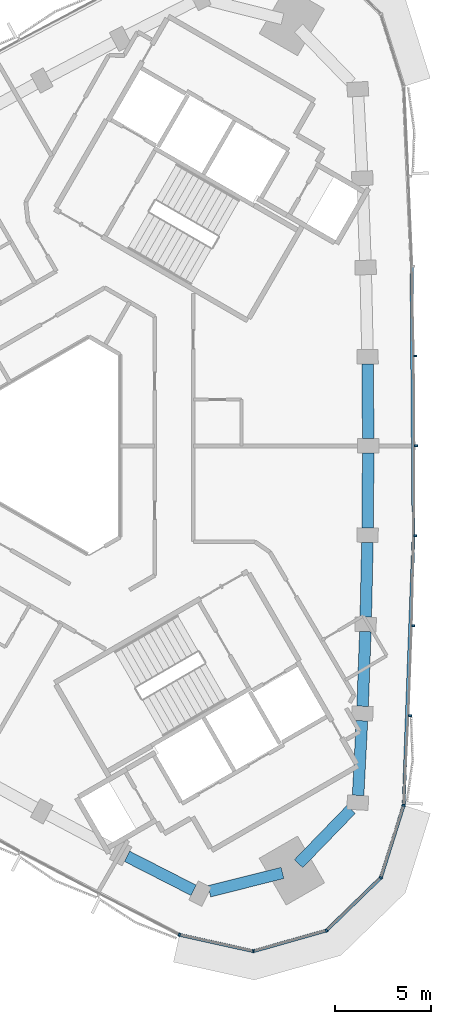
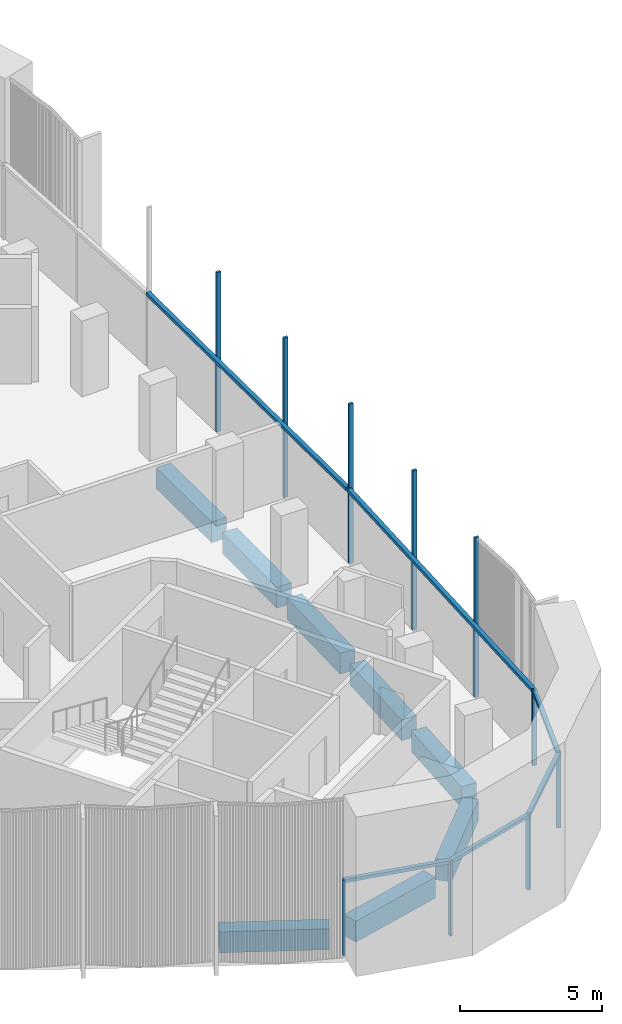
# One storey, part 4 of 16: 16 members, 8 beams, 2 elements without a shape of their own.
"""IFC4 building model written with IfcOpenShell, lengths in metres."""

from ifc_helpers import new_model, si_unit, direction, frame, origin, origin_2d, place, context, subcontext, project, spatial, rectangle, extrude, material, material_profile, profile_set, type_object, element, aggregate, save


model = new_model("IFC4")

# Units and contexts
model_context = context("Model", 3, precision=1e-05, world=origin(), true_north=direction((0.0, 1.0)))
body_context = subcontext(model_context, "Body", "Model", "MODEL_VIEW")
ifc_project = project(units=[si_unit("LENGTHUNIT", "METRE"), si_unit("AREAUNIT", "SQUARE_METRE"), si_unit("VOLUMEUNIT", "CUBIC_METRE"), si_unit("PLANEANGLEUNIT", "RADIAN"), si_unit("MASSUNIT", "GRAM", prefix="KILO")], contexts=[model_context])

# Site, building, storey
site_placement = place(None, origin())
site = spatial("IfcSite", under=ifc_project, at=site_placement, CompositionType="ELEMENT")
building_placement = place(site_placement, origin())
building = spatial("IfcBuilding", under=site, at=building_placement, Name="Tamra Quay Hotel Tower", CompositionType="ELEMENT")
storey_placement = place(building_placement, frame((0.0, 0.0, 232.199951171875)))
storey = spatial("IfcBuildingStorey", under=building, at=storey_placement, Name="L58", CompositionType="ELEMENT", Elevation=232.199951171875)

# Curtain wall, members
ifc_material_1 = material(Name="Aluminium 6063 anodised dark grey", Category="aluminium")
curtain_wall_type_1 = type_object("IfcCurtainWallType", Name="CW1 CURTAIN WALL", PredefinedType="NOTDEFINED", material=ifc_material_1)
curtain_wall_1_placement = place(storey_placement, origin())
curtain_wall_1 = element("IfcCurtainWall", 1, at=curtain_wall_1_placement, inside=storey, type_object=curtain_wall_type_1, Name="CW1 east face L58", PredefinedType="NOTDEFINED")
ifc_material_profile_1 = material_profile(ifc_material_1, rectangle(XDim=0.169921875, YDim=0.10009765625, at=origin_2d()), Name="MULLION 100X170")
ifc_profile_set_1 = profile_set([ifc_material_profile_1], Name="Aluminium 6063 anodised dark grey")
member_type_1 = type_object("IfcMemberType", Name="MULLION CW1 Z5", PredefinedType="MULLION", material=ifc_profile_set_1)
member_1_placement = place(storey_placement, frame((18.50732421875, -18.63037109375, 0.0), z_axis=(0.0, 0.0, 1.0), x_axis=(0.984105369622, -0.177585532857, 0.0)))
member_1 = element("IfcMember", 2, at=member_1_placement, type_object=member_type_1, Name="CW1 mullion L58.E.1", PredefinedType="MULLION", context=body_context, shape_type="SweptSolid", body=[
    extrude(rectangle(XDim=0.169921875, YDim=0.10009765625, at=origin_2d()), origin(), (0.0, 0.0, 1.0), 3.25),
])
member_2_placement = place(storey_placement, frame((18.831787109375, -13.980224609375, 0.0), z_axis=(0.0, 0.0, 1.0), x_axis=(0.999028242541, -0.044074602737, 0.0)))
member_2 = element("IfcMember", 3, at=member_2_placement, type_object=member_type_1, Name="CW1 mullion L58.E.2", PredefinedType="MULLION", context=body_context, shape_type="SweptSolid", body=[
    extrude(rectangle(XDim=0.169921875, YDim=0.10009765625, at=origin_2d()), origin(), (0.0, 0.0, 1.0), 6.85009765625),
])
member_3_placement = place(storey_placement, frame((19.0029296875, -9.3212890625, 0.0), z_axis=(0.0, 0.0, 1.0), x_axis=(0.999567604461, -0.029404151257, 0.0)))
member_3 = element("IfcMember", 4, at=member_3_placement, type_object=member_type_1, Name="CW1 mullion L58.E.3", PredefinedType="MULLION", context=body_context, shape_type="SweptSolid", body=[
    extrude(rectangle(XDim=0.169921875, YDim=0.10009765625, at=origin_2d()), origin(), (0.0, 0.0, 1.0), 6.85009765625),
])
member_4_placement = place(storey_placement, frame((19.10595703125, -4.661865234375, 0.0), z_axis=(0.0, 0.0, 1.0), x_axis=(0.99989176069, -0.014712814299, 0.0)))
member_4 = element("IfcMember", 5, at=member_4_placement, type_object=member_type_1, Name="CW1 mullion L58.E.4", PredefinedType="MULLION", context=body_context, shape_type="SweptSolid", body=[
    extrude(rectangle(XDim=0.169921875, YDim=0.10009765625, at=origin_2d()), origin(), (0.0, 0.0, 1.0), 6.85009765625),
])
member_5_placement = place(storey_placement, frame((19.14013671875, 0.0, 0.0), z_axis=(0.0, 0.0, 1.0), x_axis=(1.0, 0.0, 0.0)))
member_5 = element("IfcMember", 6, at=member_5_placement, type_object=member_type_1, Name="CW1 mullion L58.E.5", PredefinedType="MULLION", context=body_context, shape_type="SweptSolid", body=[
    extrude(rectangle(XDim=0.169921875, YDim=0.10009765625, at=origin_2d()), origin(), (0.0, 0.0, 1.0), 6.85009765625),
])
member_6_placement = place(storey_placement, frame((19.10595703125, 4.661865234375, 0.0), z_axis=(0.0, 0.0, 1.0), x_axis=(0.99989176069, 0.014712814299, 0.0)))
member_6 = element("IfcMember", 7, at=member_6_placement, type_object=member_type_1, Name="CW1 mullion L58.E.6", PredefinedType="MULLION", context=body_context, shape_type="SweptSolid", body=[
    extrude(rectangle(XDim=0.169921875, YDim=0.10009765625, at=origin_2d()), origin(), (0.0, 0.0, 1.0), 6.85009765625),
])

curtain_wall_type_2 = type_object("IfcCurtainWallType", Name="CW3 CURTAIN WALL", PredefinedType="NOTDEFINED", material=ifc_material_1)
curtain_wall_2_placement = place(storey_placement, origin())
curtain_wall_2 = element("IfcCurtainWall", 8, at=curtain_wall_2_placement, inside=storey, type_object=curtain_wall_type_2, Name="CW3 south-west face L58", PredefinedType="NOTDEFINED")
ifc_material_profile_2 = material_profile(ifc_material_1, rectangle(XDim=0.169921875, YDim=0.10009765625, at=origin_2d()), Name="MULLION 100X170")
ifc_profile_set_2 = profile_set([ifc_material_profile_2], Name="Aluminium 6063 anodised dark grey")
member_type_2 = type_object("IfcMemberType", Name="MULLION CW3 Z5", PredefinedType="MULLION", material=ifc_profile_set_2)
member_7_placement = place(storey_placement, frame((6.880615234375, -25.343017578125, 0.0), z_axis=(0.0, 0.0, 1.0), x_axis=(-0.338259102012, -0.941053016522, 0.0)))
member_7 = element("IfcMember", 9, at=member_7_placement, type_object=member_type_2, Name="CW3 mullion L58.SW.9", PredefinedType="MULLION", context=body_context, shape_type="SweptSolid", body=[
    extrude(rectangle(XDim=0.169921875, YDim=0.10009765625, at=origin_2d()), origin(), (0.0, 0.0, 1.0), 3.25),
])
member_8_placement = place(storey_placement, frame((10.719970703125, -26.193359375, 0.0), z_axis=(0.0, 0.0, 1.0), x_axis=(0.029222506575, -0.999572931361, 0.0)))
member_8 = element("IfcMember", 10, at=member_8_placement, type_object=member_type_2, Name="CW3 mullion L58.SW.10", PredefinedType="MULLION", context=body_context, shape_type="SweptSolid", body=[
    extrude(rectangle(XDim=0.169921875, YDim=0.10009765625, at=origin_2d()), origin(), (0.0, 0.0, 1.0), 3.25),
])
member_9_placement = place(storey_placement, frame((14.503173828125, -25.1201171875, 0.0), z_axis=(0.0, 0.0, 1.0), x_axis=(0.5, -0.866025403784, 0.0)))
member_9 = element("IfcMember", 11, at=member_9_placement, type_object=member_type_2, Name="CW3 mullion L58.SW.11", PredefinedType="MULLION", context=body_context, shape_type="SweptSolid", body=[
    extrude(rectangle(XDim=0.169921875, YDim=0.10009765625, at=origin_2d()), origin(), (0.0, 0.0, 1.0), 3.25),
])
member_10_placement = place(storey_placement, frame((17.323974609375, -22.38037109375, 0.0), z_axis=(0.0, 0.0, 1.0), x_axis=(0.851044298206, -0.525093898736, 0.0)))
member_10 = element("IfcMember", 12, at=member_10_placement, type_object=member_type_2, Name="CW3 mullion L58.SW.12", PredefinedType="MULLION", context=body_context, shape_type="SweptSolid", body=[
    extrude(rectangle(XDim=0.169921875, YDim=0.10009765625, at=origin_2d()), origin(), (0.0, 0.0, 1.0), 3.25),
])

# Beams
ifc_material_2 = material(Name="Concrete M60", Category="concrete")
ifc_material_profile_3 = material_profile(ifc_material_2, rectangle(XDim=0.60009765625, YDim=0.89990234375, at=origin_2d()), Name="SPANDREL BEAM RC 600x900")
ifc_profile_set_3 = profile_set([ifc_material_profile_3], Name="Concrete M60")
beam_type = type_object("IfcBeamType", Name="SPANDREL BEAM RC 600x900", PredefinedType="SPANDREL", material=ifc_profile_set_3)
beam_1_placement = place(storey_placement, frame((16.144775390625, -18.116455078125, -0.800048828125), z_axis=(0.051404854824, 0.998677896471, 0.0), x_axis=(-0.998677896471, 0.051404854824, 0.0)))
element("IfcBeam", 13, at=beam_1_placement, inside=storey, type_object=beam_type, Name="BM-SP5-000-L58", PredefinedType="SPANDREL", context=body_context, shape_type="SweptSolid", body=[
    extrude(rectangle(XDim=0.60009765625, YDim=0.89990234375, at=origin_2d()), origin(), (0.0, 0.0, 1.0), 3.87548828125),
])
beam_2_placement = place(storey_placement, frame((16.377197265625, -13.496826171875, -0.800048828125), z_axis=(0.036732019634, 0.999325151657, 0.0), x_axis=(-0.999325151657, 0.036732019634, 0.0)))
element("IfcBeam", 14, at=beam_2_placement, inside=storey, type_object=beam_type, Name="BM-SP5-001-L58", PredefinedType="SPANDREL", context=body_context, shape_type="SweptSolid", body=[
    extrude(rectangle(XDim=0.60009765625, YDim=0.89990234375, at=origin_2d()), origin(), (0.0, 0.0, 1.0), 3.875),
])
beam_3_placement = place(storey_placement, frame((16.54150390625, -8.874755859375, -0.800048828125), z_axis=(0.022047440235, 0.999756925647, 0.0), x_axis=(-0.999756925647, 0.022047440235, 0.0)))
element("IfcBeam", 15, at=beam_3_placement, inside=storey, type_object=beam_type, Name="BM-SP5-002-L58", PredefinedType="SPANDREL", context=body_context, shape_type="SweptSolid", body=[
    extrude(rectangle(XDim=0.60009765625, YDim=0.89990234375, at=origin_2d()), origin(), (0.0, 0.0, 1.0), 3.875732421875),
])
for number, where, z_axis, x_axis, name in (
    (16, (16.63818359375, -4.25, -0.800048828125), (0.007308272564, 0.999973294219, 0.0), (-0.999973294219, 0.007308272564, 0.0), "BM-SP5-003-L58"),
    (17, (16.66650390625, 0.375, -0.800048828125), (-0.007308272564, 0.999973294219, 0.0), (-0.999973294219, -0.007308272564, 0.0), "BM-SP5-004-L58"),
):
    element("IfcBeam", number, at=place(storey_placement, frame(where, z_axis=z_axis, x_axis=x_axis)), inside=storey, type_object=beam_type, Name=name, PredefinedType="SPANDREL", context=body_context, shape_type="SweptSolid", body=[
        extrude(rectangle(XDim=0.60009765625, YDim=0.89990234375, at=origin_2d()), origin(), (0.0, 0.0, 1.0), 3.875),
    ])
beam_4_placement = place(storey_placement, frame((4.16552734375, -21.277587890625, -0.800048828125), z_axis=(0.890602550436, -0.454782472349, 0.0), x_axis=(0.454782472349, 0.890602550436, 0.0)))
element("IfcBeam", 18, at=beam_4_placement, inside=storey, type_object=beam_type, Name="BM-SP5-027-L58", PredefinedType="SPANDREL", context=body_context, shape_type="SweptSolid", body=[
    extrude(rectangle(XDim=0.60009765625, YDim=0.89990234375, at=origin_2d()), origin(), (0.0, 0.0, 1.0), 3.87548828125),
])
beam_5_placement = place(storey_placement, frame((8.430908203125, -23.090087890625, -0.800048828125), z_axis=(0.969848171666, 0.243709917558, 0.0), x_axis=(-0.243709917558, 0.969848171666, 0.0)))
element("IfcBeam", 19, at=beam_5_placement, inside=storey, type_object=beam_type, Name="BM-SP5-028-L58", PredefinedType="SPANDREL", context=body_context, shape_type="SweptSolid", body=[
    extrude(rectangle(XDim=0.60009765625, YDim=0.89990234375, at=origin_2d()), origin(), (0.0, 0.0, 1.0), 3.912841796875),
])
beam_6_placement = place(storey_placement, frame((13.05810546875, -21.656005859375, -0.800048828125), z_axis=(0.69594408001, 0.718095980701, 0.0), x_axis=(-0.718095980701, 0.69594408001, 0.0)))
element("IfcBeam", 20, at=beam_6_placement, inside=storey, type_object=beam_type, Name="BM-SP5-029-L58", PredefinedType="SPANDREL", context=body_context, shape_type="SweptSolid", body=[
    extrude(rectangle(XDim=0.60009765625, YDim=0.89990234375, at=origin_2d()), origin(), (0.0, 0.0, 1.0), 3.91259765625),
])

# Member
ifc_material_profile_4 = material_profile(ifc_material_1, rectangle(XDim=0.169921875, YDim=0.139892578125, at=origin_2d()), Name="TRANSOM 170X140")
ifc_profile_set_4 = profile_set([ifc_material_profile_4], Name="Aluminium 6063 anodised dark grey")
member_type_3 = type_object("IfcMemberType", Name="TRANSOM CW1 Z5", PredefinedType="USERDEFINED", material=ifc_profile_set_4)
member_11_placement = place(storey_placement, frame((18.509765625, -18.580322265625, 3.179931640625), z_axis=(0.036746859744, 0.999324606071, 0.0), x_axis=(-0.999324606071, 0.036746859744, 0.0)))
member_11 = element("IfcMember", 21, at=member_11_placement, type_object=member_type_3, Name="CW1 transom L58.E.1", ObjectType="TRANSOM", PredefinedType="USERDEFINED", context=body_context, shape_type="SweptSolid", body=[
    extrude(rectangle(XDim=0.169921875, YDim=0.139892578125, at=origin_2d()), origin(), (0.0, 0.0, 1.0), 13.87890625),
])

member_12_placement = place(storey_placement, frame((19.021240234375, -4.61083984375, 3.179931640625), z_axis=(-0.007352354434, 0.999972971077, 0.0), x_axis=(-0.999972971077, -0.007352354434, 0.0)))
member_12 = element("IfcMember", 22, at=member_12_placement, type_object=member_type_3, Name="CW1 transom L58.E.4", ObjectType="TRANSOM", PredefinedType="USERDEFINED", context=body_context, shape_type="SweptSolid", body=[
    extrude(rectangle(XDim=0.169921875, YDim=0.139892578125, at=origin_2d()), origin(), (0.0, 0.0, 1.0), 13.880126953125),
])

aggregate(curtain_wall_1, [member_1, member_11, member_2, member_3, member_4, member_12, member_5, member_6])

ifc_material_profile_5 = material_profile(ifc_material_1, rectangle(XDim=0.169921875, YDim=0.139892578125, at=origin_2d()), Name="TRANSOM 170X140")
ifc_profile_set_5 = profile_set([ifc_material_profile_5], Name="Aluminium 6063 anodised dark grey")
member_type_4 = type_object("IfcMemberType", Name="TRANSOM CW3 Z5", PredefinedType="USERDEFINED", material=ifc_profile_set_5)
member_13_placement = place(storey_placement, frame((6.929443359375, -25.353759765625, 3.179931640625), z_axis=(0.976345686568, -0.216215402598, 0.0), x_axis=(0.216215402598, 0.976345686568, 0.0)))
member_13 = element("IfcMember", 23, at=member_13_placement, type_object=member_type_4, Name="CW3 transom L58.SW.9", ObjectType="TRANSOM", PredefinedType="USERDEFINED", context=body_context, shape_type="SweptSolid", body=[
    extrude(rectangle(XDim=0.169921875, YDim=0.139892578125, at=origin_2d()), origin(), (0.0, 0.0, 1.0), 3.832275390625),
])

member_14_placement = place(storey_placement, frame((10.76806640625, -26.1796875, 3.179931640625), z_axis=(0.962041469084, 0.272903301123, 0.0), x_axis=(-0.272903301123, 0.962041469084, 0.0)))
member_14 = element("IfcMember", 24, at=member_14_placement, type_object=member_type_4, Name="CW3 transom L58.SW.10", ObjectType="TRANSOM", PredefinedType="USERDEFINED", context=body_context, shape_type="SweptSolid", body=[
    extrude(rectangle(XDim=0.169921875, YDim=0.139892578125, at=origin_2d()), origin(), (0.0, 0.0, 1.0), 3.83251953125),
])

member_15_placement = place(storey_placement, frame((14.5390625, -25.085205078125, 3.179931640625), z_axis=(0.717352155518, 0.696710761345, 0.0), x_axis=(-0.696710761345, 0.717352155518, 0.0)))
member_15 = element("IfcMember", 25, at=member_15_placement, type_object=member_type_4, Name="CW3 transom L58.SW.11", ObjectType="TRANSOM", PredefinedType="USERDEFINED", context=body_context, shape_type="SweptSolid", body=[
    extrude(rectangle(XDim=0.169921875, YDim=0.139892578125, at=origin_2d()), origin(), (0.0, 0.0, 1.0), 3.832275390625),
])

member_16_placement = place(storey_placement, frame((17.339111328125, -22.332763671875, 3.179931640625), z_axis=(0.300878302807, 0.953662543513, 0.0), x_axis=(-0.953662543513, 0.300878302807, 0.0)))
member_16 = element("IfcMember", 26, at=member_16_placement, type_object=member_type_4, Name="CW3 transom L58.SW.12", ObjectType="TRANSOM", PredefinedType="USERDEFINED", context=body_context, shape_type="SweptSolid", body=[
    extrude(rectangle(XDim=0.169921875, YDim=0.139892578125, at=origin_2d()), origin(), (0.0, 0.0, 1.0), 3.832275390625),
])

aggregate(curtain_wall_2, [member_7, member_13, member_8, member_14, member_9, member_15, member_10, member_16])

save(model, "model.ifc")
